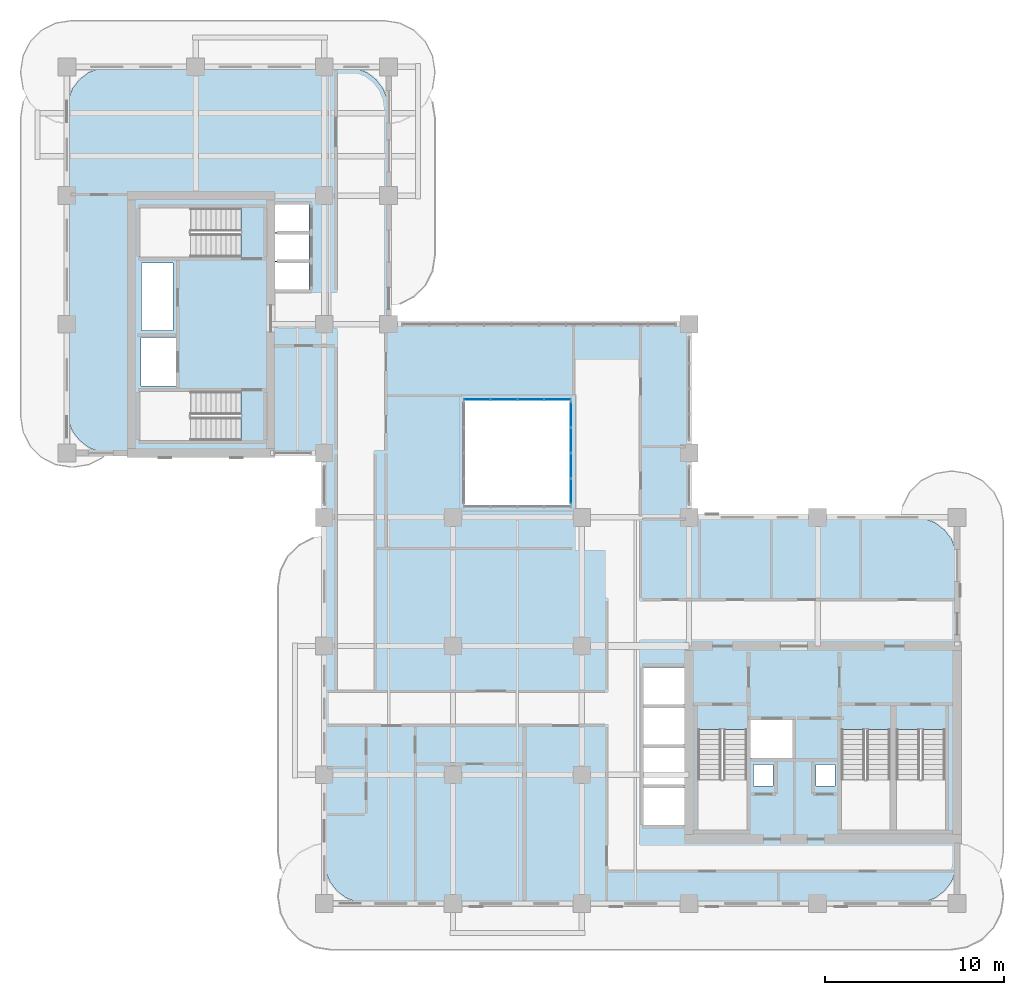
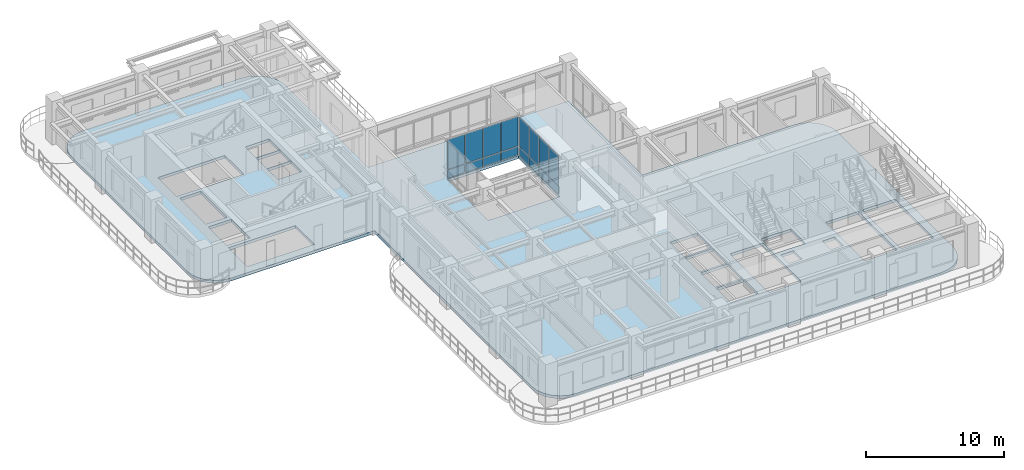
# One storey, part 8 of 20: 16 plates, 1 slab, 2 elements without a shape of their own.
"""IFC4 building model written with IfcOpenShell, lengths in metres."""

from ifc_helpers import new_model, si_unit, derived_unit, direction, frame, origin, origin_2d, place, context, subcontext, project, spatial, polyline, rectangle, outline, extrude, source, transform, mapped, material, layer, layer_set, type_object, element, aggregate, save


model = new_model("IFC4")

# Units and contexts
model_context = context("Model", 3, precision=1e-05, world=origin(), true_north=direction((0.0, 1.0)))
body_context = subcontext(model_context, "Body", "Model", "MODEL_VIEW")
ifc_project = project(units=[si_unit("LENGTHUNIT", "METRE"), si_unit("AREAUNIT", "SQUARE_METRE"), si_unit("VOLUMEUNIT", "CUBIC_METRE"), si_unit("PLANEANGLEUNIT", "RADIAN"), si_unit("MASSUNIT", "GRAM", prefix="KILO"), si_unit("THERMODYNAMICTEMPERATUREUNIT", "KELVIN"), si_unit("POWERUNIT", "WATT"), derived_unit("THERMALTRANSMITTANCEUNIT", [(si_unit("POWERUNIT", "WATT"), 1), (si_unit("AREAUNIT", "SQUARE_METRE"), -1), (si_unit("THERMODYNAMICTEMPERATUREUNIT", "KELVIN"), -1)])], contexts=[model_context])

# Site, building, storey
site_placement = place(None, origin())
site = spatial("IfcSite", under=ifc_project, at=site_placement, CompositionType="ELEMENT")
building_placement = place(site_placement, origin())
building = spatial("IfcBuilding", under=site, at=building_placement, Name="Zahravan Archway Hotel and Residences", CompositionType="ELEMENT")
storey_placement = place(building_placement, frame((0.0, 0.0, 154.14990234375)))
storey = spatial("IfcBuildingStorey", under=building, at=storey_placement, Name="L38", CompositionType="ELEMENT", Elevation=154.14990234375)

# Slab
ifc_material_1 = material(Name="Concrete C45/55", Category="concrete")
ifc_layer_1 = layer(ifc_material_1, 0.25, Name="Concrete C45/55", Category="concrete")
ifc_layer_set_1 = layer_set([ifc_layer_1], Name="Concrete C45/55")
slab_type = type_object("IfcSlabType", Name="SLB-FLR-250", PredefinedType="FLOOR", material=ifc_layer_set_1)
slab_placement = place(storey_placement, frame((0.0, 0.0, -0.25)))
element("IfcSlab", 1, at=slab_placement, inside=storey, type_object=slab_type, Name="L38 Floor Slab LB", PredefinedType="FLOOR", context=body_context, shape_type="SweptSolid", body=[
    extrude(outline(polyline([(34.800048828125, 21.60009765625), (34.800048828125, 32.39990234375), (18.0, 32.39990234375), (18.0, 44.39990234375), (17.918212890625, 45.021240234375), (17.678466796875, 45.60009765625), (17.297119140625, 46.09716796875), (16.800048828125, 46.478515625), (16.22119140625, 46.71826171875), (15.60009765625, 46.800048828125), (2.39990234375, 46.800048828125), (1.77880859375, 46.71826171875), (1.199951171875, 46.478515625), (0.702880859375, 46.09716796875), (0.321533203125, 45.60009765625), (0.081787109375, 45.021240234375), (0.0, 44.39990234375), (0.0, 27.60009765625), (0.081787109375, 26.978759765625), (0.321533203125, 26.39990234375), (0.702880859375, 25.90283203125), (1.199951171875, 25.521484375), (1.77880859375, 25.28173828125), (2.39990234375, 25.199951171875), (14.39990234375, 25.199951171875), (14.39990234375, 19.199951171875), (14.39990234375, 19.10009765625), (14.39990234375, 2.39990234375), (14.481689453125, 1.77880859375), (14.721435546875, 1.199951171875), (15.102783203125, 0.702880859375), (15.60009765625, 0.321533203125), (16.1787109375, 0.081787109375), (16.800048828125, 0.0), (47.39990234375, 0.0), (48.021240234375, 0.081787109375), (48.60009765625, 0.321533203125), (49.09716796875, 0.702880859375), (49.478515625, 1.199951171875), (49.71826171875, 1.77880859375), (49.800048828125, 2.39990234375), (49.800048828125, 19.199951171875), (49.71826171875, 19.8212890625), (49.478515625, 20.39990234375), (49.09716796875, 20.897216796875), (48.60009765625, 21.278564453125), (48.021240234375, 21.518310546875), (47.39990234375, 21.60009765625), (34.800048828125, 21.60009765625)]), holes=[polyline([(35.300048828125, 9.72998046875), (35.300048828125, 4.10009765625), (38.0400390625, 4.10009765625), (38.0400390625, 9.72998046875), (35.300048828125, 9.72998046875)]), polyline([(43.320068359375, 9.72998046875), (43.320068359375, 4.10009765625), (46.06005859375, 4.10009765625), (46.06005859375, 9.72998046875), (43.320068359375, 9.72998046875)]), polyline([(46.39990234375, 9.72998046875), (46.39990234375, 4.10009765625), (49.139892578125, 4.10009765625), (49.139892578125, 9.72998046875), (46.39990234375, 9.72998046875)]), polyline([(9.72998046875, 28.639892578125), (4.10009765625, 28.639892578125), (4.10009765625, 25.89990234375), (9.72998046875, 25.89990234375), (9.72998046875, 28.639892578125)]), polyline([(9.72998046875, 38.89990234375), (4.10009765625, 38.89990234375), (4.10009765625, 36.159912109375), (9.72998046875, 36.159912109375), (9.72998046875, 38.89990234375)]), polyline([(38.179931640625, 8.14990234375), (40.699951171875, 8.14990234375), (40.699951171875, 10.25), (38.179931640625, 10.25), (38.179931640625, 8.14990234375)]), polyline([(4.14990234375, 28.949951171875), (6.10009765625, 28.949951171875), (6.10009765625, 31.64990234375), (4.14990234375, 31.64990234375), (4.14990234375, 28.949951171875)]), polyline([(11.550048828125, 34.35009765625), (13.550048828125, 34.35009765625), (13.550048828125, 35.889892578125), (11.550048828125, 35.889892578125), (11.550048828125, 34.35009765625)]), polyline([(11.550048828125, 35.949951171875), (13.550048828125, 35.949951171875), (13.550048828125, 37.489990234375), (11.550048828125, 37.489990234375), (11.550048828125, 35.949951171875)]), polyline([(11.550048828125, 37.550048828125), (13.550048828125, 37.550048828125), (13.550048828125, 39.090087890625), (11.550048828125, 39.090087890625), (11.550048828125, 37.550048828125)]), polyline([(32.25, 4.39990234375), (34.550048828125, 4.39990234375), (34.550048828125, 6.47998046875), (32.25, 6.47998046875), (32.25, 4.39990234375)]), polyline([(32.25, 6.639892578125), (34.550048828125, 6.639892578125), (34.550048828125, 8.719970703125), (32.25, 8.719970703125), (32.25, 6.639892578125)]), polyline([(32.25, 8.8798828125), (34.550048828125, 8.8798828125), (34.550048828125, 10.9599609375), (32.25, 10.9599609375), (32.25, 8.8798828125)]), polyline([(32.25, 11.1201171875), (34.550048828125, 11.1201171875), (34.550048828125, 13.199951171875), (32.25, 13.199951171875), (32.25, 11.1201171875)]), polyline([(22.199951171875, 22.199951171875), (28.199951171875, 22.199951171875), (28.199951171875, 28.199951171875), (22.199951171875, 28.199951171875), (22.199951171875, 22.199951171875)]), polyline([(38.419921875, 6.56005859375), (39.5, 6.56005859375), (39.5, 7.780029296875), (38.419921875, 7.780029296875), (38.419921875, 6.56005859375)]), polyline([(41.89990234375, 6.56005859375), (42.9599609375, 6.56005859375), (42.9599609375, 7.780029296875), (41.89990234375, 7.780029296875), (41.89990234375, 6.56005859375)]), polyline([(4.179931640625, 32.050048828125), (5.93994140625, 32.050048828125), (5.93994140625, 35.840087890625), (4.179931640625, 35.840087890625), (4.179931640625, 32.050048828125)])]), origin(), (0.0, 0.0, 1.0), 0.25),
])

# Curtain wall, plates
ifc_material_2 = material(Name="Bronze-Anodized Unitised Aluminium & Low-E Glass", Category="aluminium")
ifc_layer_2 = layer(ifc_material_2, 0.179931640625, Name="Bronze-Anodized Unitised Aluminium & Low-E Glass", Category="aluminium")
ifc_layer_set_2 = layer_set([ifc_layer_2], Name="Bronze-Anodized Unitised Aluminium & Low-E Glass")
curtain_wall_type = type_object("IfcCurtainWallType", Name="CW-ATR-GLAZ", PredefinedType="NOTDEFINED", material=ifc_layer_set_2)
curtain_wall_1_placement = place(storey_placement, origin())
curtain_wall_1 = element("IfcCurtainWall", 2, at=curtain_wall_1_placement, inside=storey, type_object=curtain_wall_type, Name="L38 Curtain Wall CW-ATR-L38-N-1", PredefinedType="NOTDEFINED")
ifc_material_3 = material(Name="Insulated Terracotta Spandrel Panel", Category="masonry")
ifc_layer_3 = layer(ifc_material_3, 0.0400390625, Name="Insulated Terracotta Spandrel Panel", Category="masonry")
ifc_layer_set_3 = layer_set([ifc_layer_3], Name="Insulated Terracotta Spandrel Panel")
plate_type_1 = type_object("IfcPlateType", Name="CWP-SPN-40", PredefinedType="SHEET", material=ifc_layer_set_3)
shared_shape_1 = source(origin(), body_context, "Body", "SweptSolid", [
    extrude(rectangle(XDim=1.419921875, YDim=0.0400390625, at=origin_2d()), origin(), (0.0, 0.0, 1.0), 0.7099609375),
])
plate_1_placement = place(storey_placement, frame((22.949951171875, 28.199951171875, 0.10009765625), z_axis=(0.0, 0.0, 1.0), x_axis=(1.0, 0.0, 0.0)))
plate_1 = element("IfcPlate", 3, at=plate_1_placement, type_object=plate_type_1, Name="CW-ATR-L38-N-1 Spandrel Panel 0", PredefinedType="SHEET", context=body_context, shape_type="MappedRepresentation", body=[
    mapped(shared_shape_1, transform((0.0, 0.0, 0.0), scale=1.0)),
])
plate_2_placement = place(storey_placement, frame((24.449951171875, 28.199951171875, 0.10009765625), z_axis=(0.0, 0.0, 1.0), x_axis=(1.0, 0.0, 0.0)))
plate_2 = element("IfcPlate", 4, at=plate_2_placement, type_object=plate_type_1, Name="CW-ATR-L38-N-1 Spandrel Panel 1", PredefinedType="SHEET", context=body_context, shape_type="MappedRepresentation", body=[
    mapped(shared_shape_1, transform((0.0, 0.0, 0.0), scale=1.0)),
])
plate_3_placement = place(storey_placement, frame((25.949951171875, 28.199951171875, 0.10009765625), z_axis=(0.0, 0.0, 1.0), x_axis=(1.0, 0.0, 0.0)))
plate_3 = element("IfcPlate", 5, at=plate_3_placement, type_object=plate_type_1, Name="CW-ATR-L38-N-1 Spandrel Panel 2", PredefinedType="SHEET", context=body_context, shape_type="MappedRepresentation", body=[
    mapped(shared_shape_1, transform((0.0, 0.0, 0.0), scale=1.0)),
])
plate_4_placement = place(storey_placement, frame((27.449951171875, 28.199951171875, 0.10009765625), z_axis=(0.0, 0.0, 1.0), x_axis=(1.0, 0.0, 0.0)))
plate_4 = element("IfcPlate", 6, at=plate_4_placement, type_object=plate_type_1, Name="CW-ATR-L38-N-1 Spandrel Panel 3", PredefinedType="SHEET", context=body_context, shape_type="MappedRepresentation", body=[
    mapped(shared_shape_1, transform((0.0, 0.0, 0.0), scale=1.0)),
])

curtain_wall_2_placement = place(storey_placement, origin())
curtain_wall_2 = element("IfcCurtainWall", 7, at=curtain_wall_2_placement, inside=storey, type_object=curtain_wall_type, Name="L38 Curtain Wall CW-ATR-L38-E-1", PredefinedType="NOTDEFINED")
shared_shape_2 = source(origin(), body_context, "Body", "SweptSolid", [
    extrude(rectangle(XDim=1.344970703125, YDim=0.0400390625, at=origin_2d()), origin(), (0.0, 0.0, 1.0), 0.7099609375),
])
plate_5_placement = place(storey_placement, frame((28.199951171875, 23.0625, 0.10009765625), z_axis=(0.0, 0.0, 1.0), x_axis=(0.0, 1.0, 0.0)))
plate_5 = element("IfcPlate", 8, at=plate_5_placement, type_object=plate_type_1, Name="CW-ATR-L38-E-1 Spandrel Panel 0", PredefinedType="SHEET", context=body_context, shape_type="MappedRepresentation", body=[
    mapped(shared_shape_2, transform((0.0, 0.0, 0.0), scale=1.0)),
])
plate_6_placement = place(storey_placement, frame((28.199951171875, 24.487548828125, 0.10009765625), z_axis=(0.0, 0.0, 1.0), x_axis=(0.0, 1.0, 0.0)))
plate_6 = element("IfcPlate", 9, at=plate_6_placement, type_object=plate_type_1, Name="CW-ATR-L38-E-1 Spandrel Panel 1", PredefinedType="SHEET", context=body_context, shape_type="MappedRepresentation", body=[
    mapped(shared_shape_2, transform((0.0, 0.0, 0.0), scale=1.0)),
])
plate_7_placement = place(storey_placement, frame((28.199951171875, 25.91259765625, 0.10009765625), z_axis=(0.0, 0.0, 1.0), x_axis=(0.0, 1.0, 0.0)))
plate_7 = element("IfcPlate", 10, at=plate_7_placement, type_object=plate_type_1, Name="CW-ATR-L38-E-1 Spandrel Panel 2", PredefinedType="SHEET", context=body_context, shape_type="MappedRepresentation", body=[
    mapped(shared_shape_2, transform((0.0, 0.0, 0.0), scale=1.0)),
])
plate_8_placement = place(storey_placement, frame((28.199951171875, 27.33740234375, 0.10009765625), z_axis=(0.0, 0.0, 1.0), x_axis=(0.0, 1.0, 0.0)))
plate_8 = element("IfcPlate", 11, at=plate_8_placement, type_object=plate_type_1, Name="CW-ATR-L38-E-1 Spandrel Panel 3", PredefinedType="SHEET", context=body_context, shape_type="MappedRepresentation", body=[
    mapped(shared_shape_2, transform((0.0, 0.0, 0.0), scale=1.0)),
])

# Plate
ifc_material_4 = material(Name="Double-Silver Low-E Insulated Vision Glass", Category="glass")
ifc_layer_4 = layer(ifc_material_4, 0.028076171875, Name="Double-Silver Low-E Insulated Vision Glass", Category="glass")
ifc_layer_set_4 = layer_set([ifc_layer_4], Name="Double-Silver Low-E Insulated Vision Glass")
plate_type_2 = type_object("IfcPlateType", Name="CWP-GLZ-28", PredefinedType="CURTAIN_PANEL", material=ifc_layer_set_4)
shared_shape_3 = source(origin(), body_context, "Body", "SweptSolid", [
    extrude(rectangle(XDim=1.419921875, YDim=0.028076171875, at=origin_2d()), origin(), (0.0, 0.0, 1.0), 2.610107421875),
])
plate_9_placement = place(storey_placement, frame((22.949951171875, 28.199951171875, 0.89013671875), z_axis=(0.0, 0.0, 1.0), x_axis=(1.0, 0.0, 0.0)))
plate_9 = element("IfcPlate", 12, at=plate_9_placement, type_object=plate_type_2, Name="CW-ATR-L38-N-1 Low-E Vision Panel 0", PredefinedType="CURTAIN_PANEL", context=body_context, shape_type="MappedRepresentation", body=[
    mapped(shared_shape_3, transform((0.0, 0.0, 0.0), scale=1.0)),
])

plate_10_placement = place(storey_placement, frame((24.449951171875, 28.199951171875, 0.89013671875), z_axis=(0.0, 0.0, 1.0), x_axis=(1.0, 0.0, 0.0)))
plate_10 = element("IfcPlate", 13, at=plate_10_placement, type_object=plate_type_2, Name="CW-ATR-L38-N-1 Low-E Vision Panel 1", PredefinedType="CURTAIN_PANEL", context=body_context, shape_type="MappedRepresentation", body=[
    mapped(shared_shape_3, transform((0.0, 0.0, 0.0), scale=1.0)),
])

plate_11_placement = place(storey_placement, frame((25.949951171875, 28.199951171875, 0.89013671875), z_axis=(0.0, 0.0, 1.0), x_axis=(1.0, 0.0, 0.0)))
plate_11 = element("IfcPlate", 14, at=plate_11_placement, type_object=plate_type_2, Name="CW-ATR-L38-N-1 Low-E Vision Panel 2", PredefinedType="CURTAIN_PANEL", context=body_context, shape_type="MappedRepresentation", body=[
    mapped(shared_shape_3, transform((0.0, 0.0, 0.0), scale=1.0)),
])

plate_12_placement = place(storey_placement, frame((27.449951171875, 28.199951171875, 0.89013671875), z_axis=(0.0, 0.0, 1.0), x_axis=(1.0, 0.0, 0.0)))
plate_12 = element("IfcPlate", 15, at=plate_12_placement, type_object=plate_type_2, Name="CW-ATR-L38-N-1 Low-E Vision Panel 3", PredefinedType="CURTAIN_PANEL", context=body_context, shape_type="MappedRepresentation", body=[
    mapped(shared_shape_3, transform((0.0, 0.0, 0.0), scale=1.0)),
])

aggregate(curtain_wall_1, [plate_1, plate_9, plate_2, plate_10, plate_3, plate_11, plate_4, plate_12])

shared_shape_4 = source(origin(), body_context, "Body", "SweptSolid", [
    extrude(rectangle(XDim=1.344970703125, YDim=0.028076171875, at=origin_2d()), origin(), (0.0, 0.0, 1.0), 2.610107421875),
])
plate_13_placement = place(storey_placement, frame((28.199951171875, 23.0625, 0.89013671875), z_axis=(0.0, 0.0, 1.0), x_axis=(0.0, 1.0, 0.0)))
plate_13 = element("IfcPlate", 16, at=plate_13_placement, type_object=plate_type_2, Name="CW-ATR-L38-E-1 Low-E Vision Panel 0", PredefinedType="CURTAIN_PANEL", context=body_context, shape_type="MappedRepresentation", body=[
    mapped(shared_shape_4, transform((0.0, 0.0, 0.0), scale=1.0)),
])

plate_14_placement = place(storey_placement, frame((28.199951171875, 24.487548828125, 0.89013671875), z_axis=(0.0, 0.0, 1.0), x_axis=(0.0, 1.0, 0.0)))
plate_14 = element("IfcPlate", 17, at=plate_14_placement, type_object=plate_type_2, Name="CW-ATR-L38-E-1 Low-E Vision Panel 1", PredefinedType="CURTAIN_PANEL", context=body_context, shape_type="MappedRepresentation", body=[
    mapped(shared_shape_4, transform((0.0, 0.0, 0.0), scale=1.0)),
])

plate_15_placement = place(storey_placement, frame((28.199951171875, 25.91259765625, 0.89013671875), z_axis=(0.0, 0.0, 1.0), x_axis=(0.0, 1.0, 0.0)))
plate_15 = element("IfcPlate", 18, at=plate_15_placement, type_object=plate_type_2, Name="CW-ATR-L38-E-1 Low-E Vision Panel 2", PredefinedType="CURTAIN_PANEL", context=body_context, shape_type="MappedRepresentation", body=[
    mapped(shared_shape_4, transform((0.0, 0.0, 0.0), scale=1.0)),
])

plate_16_placement = place(storey_placement, frame((28.199951171875, 27.33740234375, 0.89013671875), z_axis=(0.0, 0.0, 1.0), x_axis=(0.0, 1.0, 0.0)))
plate_16 = element("IfcPlate", 19, at=plate_16_placement, type_object=plate_type_2, Name="CW-ATR-L38-E-1 Low-E Vision Panel 3", PredefinedType="CURTAIN_PANEL", context=body_context, shape_type="MappedRepresentation", body=[
    mapped(shared_shape_4, transform((0.0, 0.0, 0.0), scale=1.0)),
])

aggregate(curtain_wall_2, [plate_5, plate_13, plate_6, plate_14, plate_7, plate_15, plate_8, plate_16])

save(model, "model.ifc")
